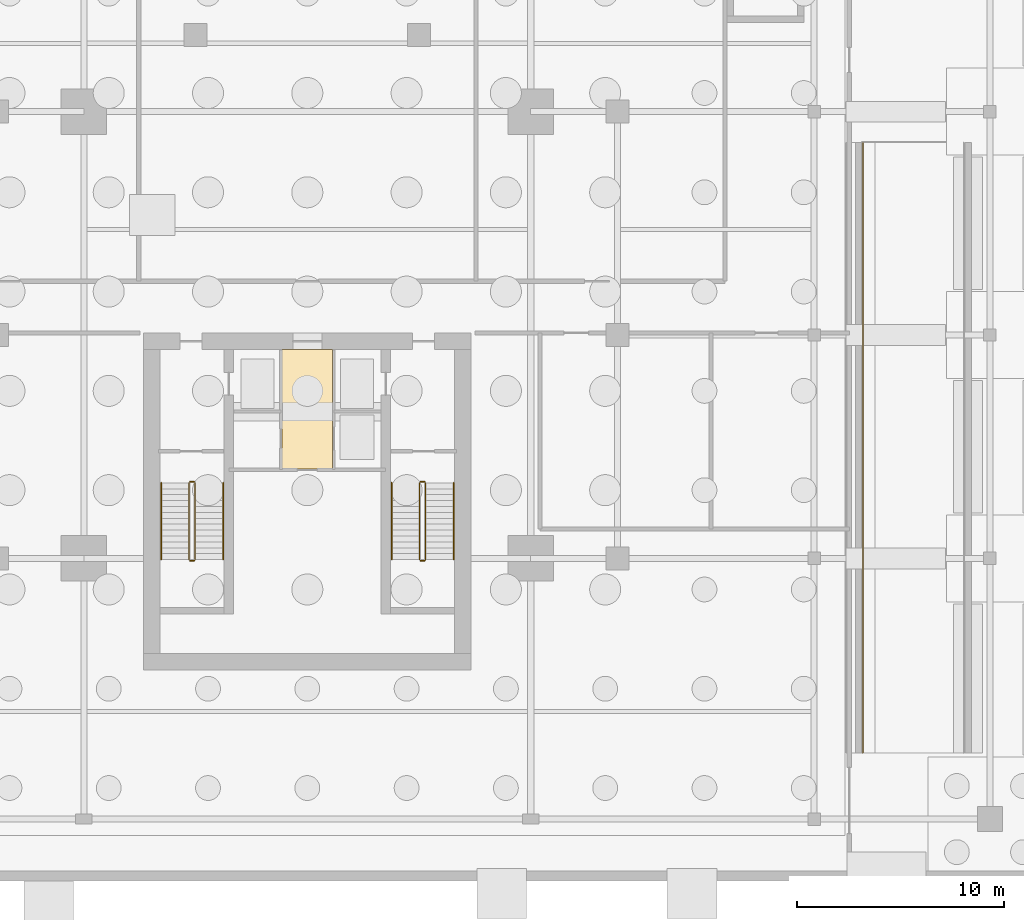
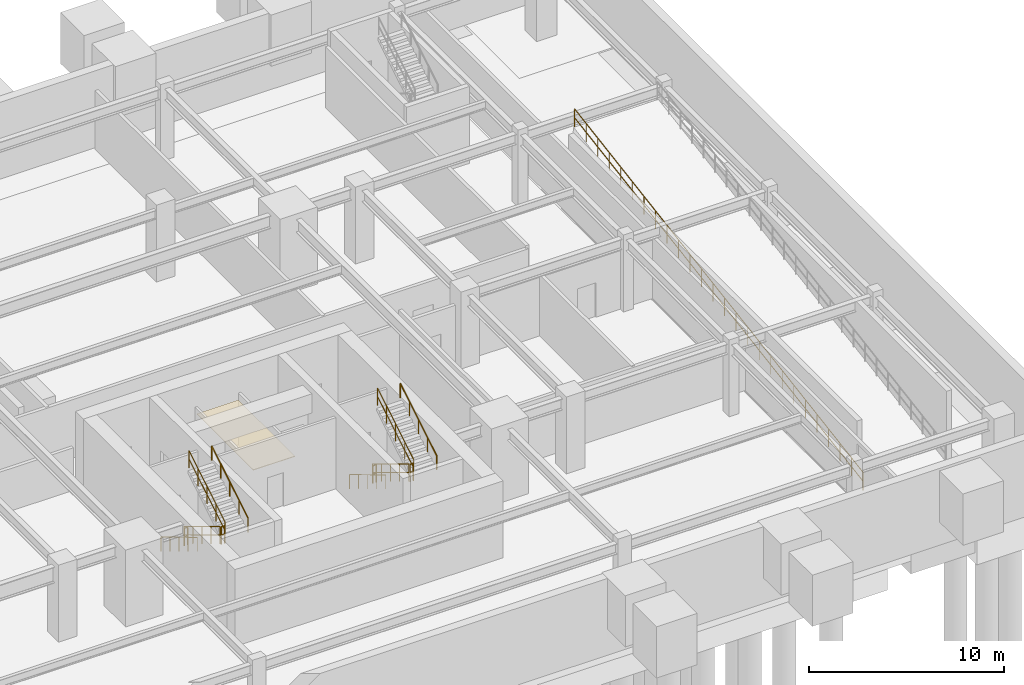
# One storey, part 6 of 9: 13 railings, 1 covering.
"""IFC4 building model written with IfcOpenShell, lengths in metres."""

from ifc_helpers import new_model, si_unit, direction, frame, origin, origin_2d, place, context, subcontext, project, spatial, polyline, circle, outline, extrude, material, layer, layer_set, type_object, element, save


model = new_model("IFC4")

# Units and contexts
model_context = context("Model", 3, precision=1e-05, world=origin(), true_north=direction((0.0, 1.0)))
body_context = subcontext(model_context, "Body", "Model", "MODEL_VIEW")
ifc_project = project(units=[si_unit("LENGTHUNIT", "METRE"), si_unit("AREAUNIT", "SQUARE_METRE"), si_unit("VOLUMEUNIT", "CUBIC_METRE"), si_unit("PLANEANGLEUNIT", "RADIAN"), si_unit("MASSUNIT", "GRAM", prefix="KILO")], contexts=[model_context])

# Site, building, storey
site_placement = place(None, origin())
site = spatial("IfcSite", under=ifc_project, at=site_placement, CompositionType="ELEMENT")
building_placement = place(site_placement, origin())
building = spatial("IfcBuilding", under=site, at=building_placement, Name="Krantzveldt Concourse Tower", CompositionType="ELEMENT")
storey_placement = place(building_placement, frame((0.0, 0.0, -4.800048828125)))
storey = spatial("IfcBuildingStorey", under=building, at=storey_placement, Name="B1", CompositionType="ELEMENT", Elevation=-4.800048828125)

# Covering
ifc_material_1 = material(Name="Perforated acoustic mineral-fibre ceiling tile", Category="ceiling")
ifc_layer_1 = layer(ifc_material_1, 0.0400390625, Name="Perforated acoustic mineral-fibre ceiling tile", Category="ceiling")
ifc_layer_set_1 = layer_set([ifc_layer_1], Name="Perforated acoustic mineral-fibre ceiling tile (COV-CEIL-ACOUSTIC)")
covering_type = type_object("IfcCoveringType", Name="COV-CEIL-ACOUSTIC", PredefinedType="CEILING", material=ifc_layer_set_1)
covering_placement = place(storey_placement, frame((0.0, 0.0, 2.75)))
element("IfcCovering", 1, at=covering_placement, inside=storey, type_object=covering_type, Name="CLG-B1-LLB", PredefinedType="CEILING", context=body_context, shape_type="SweptSolid", body=[
    extrude(outline(polyline([(34.77490234375, 26.0048828125), (37.22509765625, 26.0048828125), (37.22509765625, 20.22509765625), (34.77490234375, 20.22509765625), (34.77490234375, 26.0048828125)])), origin(), (0.0, 0.0, 1.0), 0.0400390625),
])

# Railings
ifc_material_2 = material(Name="Stainless steel 316L", Category="steel")
ifc_layer_2 = layer(ifc_material_2, 0.06005859375, Name="Stainless steel 316L", Category="steel")
ifc_layer_set_2 = layer_set([ifc_layer_2], Name="Stainless steel 316L (RL-GUARD-1120)")
railing_type_1 = type_object("IfcRailingType", Name="RL-GUARD-1120", PredefinedType="GUARDRAIL", material=ifc_layer_set_2)
railing_1_placement = place(storey_placement, frame((30.280029296875, 19.550048828125, 0.17138671875)))
element("IfcRailing", 2, at=railing_1_placement, inside=storey, type_object=railing_type_1, Name="B1 ST-1 stair guard 1", PredefinedType="GUARDRAIL", context=body_context, shape_type="SweptSolid", body=[
    extrude(circle(Radius=0.02392578125, at=origin_2d()), frame((0.0, 0.0, 1.076171875), z_axis=(0.0, -0.856909459561, 0.515466951525), x_axis=(1.0, 0.0, 0.0)), (0.0, 0.0, 1.0), 4.32373046875),
    extrude(circle(Radius=0.02392578125, at=origin_2d()), frame((0.0, 0.0, 0.550048828125), z_axis=(0.0, -0.856909459561, 0.515466951525), x_axis=(1.0, 0.0, 0.0)), (0.0, 0.0, 1.0), 4.32373046875),
    extrude(circle(Radius=0.02099609375, at=origin_2d()), origin(), (0.0, 0.0, 1.0), 1.052001953125),
    extrude(circle(Radius=0.02099609375, at=origin_2d()), frame((0.0, -0.92626953125, 0.55712890625)), (0.0, 0.0, 1.0), 1.052001953125),
    extrude(circle(Radius=0.02099609375, at=origin_2d()), frame((0.0, -1.8525390625, 1.1142578125)), (0.0, 0.0, 1.0), 1.052001953125),
    extrude(circle(Radius=0.02099609375, at=origin_2d()), frame((0.0, -2.77880859375, 1.671630859375)), (0.0, 0.0, 1.0), 1.052001953125),
    extrude(circle(Radius=0.02099609375, at=origin_2d()), frame((0.0, -3.705078125, 2.228759765625)), (0.0, 0.0, 1.0), 1.052001953125),
])
railing_2_placement = place(storey_placement, frame((30.330078125, 15.794921875, 2.400146484375)))
element("IfcRailing", 3, at=railing_2_placement, inside=storey, type_object=railing_type_1, Name="B1 ST-1 stair guard 2", PredefinedType="GUARDRAIL", context=body_context, shape_type="SweptSolid", body=[
    extrude(circle(Radius=0.02392578125, at=origin_2d()), frame((0.0, 0.0, 1.076171875), z_axis=(1.0, 0.0, 0.0), x_axis=(0.0, 1.0, 0.0)), (0.0, 0.0, 1.0), 0.199951171875),
    extrude(circle(Radius=0.02392578125, at=origin_2d()), frame((0.0, 0.0, 0.550048828125), z_axis=(1.0, 0.0, 0.0), x_axis=(0.0, 1.0, 0.0)), (0.0, 0.0, 1.0), 0.199951171875),
    extrude(circle(Radius=0.02099609375, at=origin_2d()), origin(), (0.0, 0.0, 1.0), 1.052001953125),
    extrude(circle(Radius=0.02099609375, at=origin_2d()), frame((0.199951171875, 0.0, 0.0)), (0.0, 0.0, 1.0), 1.052001953125),
])
railing_3_placement = place(storey_placement, frame((30.580078125, 15.844970703125, 2.571533203125)))
element("IfcRailing", 4, at=railing_3_placement, inside=storey, type_object=railing_type_1, Name="B1 ST-1 stair guard 3", PredefinedType="GUARDRAIL", context=body_context, shape_type="SweptSolid", body=[
    extrude(circle(Radius=0.02392578125, at=origin_2d()), frame((0.0, 0.0, 1.076171875), z_axis=(0.0, 0.856934400257, 0.515425487977), x_axis=(-1.0, 0.0, 0.0)), (0.0, 0.0, 1.0), 4.32373046875),
    extrude(circle(Radius=0.02392578125, at=origin_2d()), frame((0.0, 0.0, 0.550048828125), z_axis=(0.0, 0.856934400257, 0.515425487977), x_axis=(-1.0, 0.0, 0.0)), (0.0, 0.0, 1.0), 4.32373046875),
    extrude(circle(Radius=0.02099609375, at=origin_2d()), origin(), (0.0, 0.0, 1.0), 1.052001953125),
    extrude(circle(Radius=0.02099609375, at=origin_2d()), frame((0.0, 0.92626953125, 0.55712890625)), (0.0, 0.0, 1.0), 1.052001953125),
    extrude(circle(Radius=0.02099609375, at=origin_2d()), frame((0.0, 1.8525390625, 1.1142578125)), (0.0, 0.0, 1.0), 1.052001953125),
    extrude(circle(Radius=0.02099609375, at=origin_2d()), frame((0.0, 2.77880859375, 1.67138671875)), (0.0, 0.0, 1.0), 1.052001953125),
    extrude(circle(Radius=0.02099609375, at=origin_2d()), frame((0.0, 3.705078125, 2.228515625)), (0.0, 0.0, 1.0), 1.052001953125),
])
railing_4_placement = place(storey_placement, frame((30.330078125, 19.60009765625, 0.0)))
element("IfcRailing", 5, at=railing_4_placement, inside=storey, type_object=railing_type_1, Name="B1 ST-1 stair guard 4", PredefinedType="GUARDRAIL", context=body_context, shape_type="SweptSolid", body=[
    extrude(circle(Radius=0.02392578125, at=origin_2d()), frame((0.0, 0.0, 1.076171875), z_axis=(1.0, 0.0, 0.0), x_axis=(0.0, 1.0, 0.0)), (0.0, 0.0, 1.0), 0.199951171875),
    extrude(circle(Radius=0.02392578125, at=origin_2d()), frame((0.0, 0.0, 0.550048828125), z_axis=(1.0, 0.0, 0.0), x_axis=(0.0, 1.0, 0.0)), (0.0, 0.0, 1.0), 0.199951171875),
    extrude(circle(Radius=0.02099609375, at=origin_2d()), origin(), (0.0, 0.0, 1.0), 1.052001953125),
    extrude(circle(Radius=0.02099609375, at=origin_2d()), frame((0.199951171875, 0.0, 0.0)), (0.0, 0.0, 1.0), 1.052001953125),
])
railing_5_placement = place(storey_placement, frame((41.419921875, 19.550048828125, 0.17138671875)))
element("IfcRailing", 6, at=railing_5_placement, inside=storey, type_object=railing_type_1, Name="B1 ST-2 stair guard 1", PredefinedType="GUARDRAIL", context=body_context, shape_type="SweptSolid", body=[
    extrude(circle(Radius=0.02392578125, at=origin_2d()), frame((0.0, 0.0, 1.076171875), z_axis=(0.0, -0.856909459561, 0.515466951525), x_axis=(1.0, 0.0, 0.0)), (0.0, 0.0, 1.0), 4.32373046875),
    extrude(circle(Radius=0.02392578125, at=origin_2d()), frame((0.0, 0.0, 0.550048828125), z_axis=(0.0, -0.856909459561, 0.515466951525), x_axis=(1.0, 0.0, 0.0)), (0.0, 0.0, 1.0), 4.32373046875),
    extrude(circle(Radius=0.02099609375, at=origin_2d()), origin(), (0.0, 0.0, 1.0), 1.052001953125),
    extrude(circle(Radius=0.02099609375, at=origin_2d()), frame((0.0, -0.92626953125, 0.55712890625)), (0.0, 0.0, 1.0), 1.052001953125),
    extrude(circle(Radius=0.02099609375, at=origin_2d()), frame((0.0, -1.8525390625, 1.1142578125)), (0.0, 0.0, 1.0), 1.052001953125),
    extrude(circle(Radius=0.02099609375, at=origin_2d()), frame((0.0, -2.77880859375, 1.671630859375)), (0.0, 0.0, 1.0), 1.052001953125),
    extrude(circle(Radius=0.02099609375, at=origin_2d()), frame((0.0, -3.705078125, 2.228759765625)), (0.0, 0.0, 1.0), 1.052001953125),
])
railing_6_placement = place(storey_placement, frame((41.469970703125, 15.794921875, 2.400146484375)))
element("IfcRailing", 7, at=railing_6_placement, inside=storey, type_object=railing_type_1, Name="B1 ST-2 stair guard 2", PredefinedType="GUARDRAIL", context=body_context, shape_type="SweptSolid", body=[
    extrude(circle(Radius=0.02392578125, at=origin_2d()), frame((0.0, 0.0, 1.076171875), z_axis=(1.0, 0.0, 0.0), x_axis=(0.0, 1.0, 0.0)), (0.0, 0.0, 1.0), 0.199951171875),
    extrude(circle(Radius=0.02392578125, at=origin_2d()), frame((0.0, 0.0, 0.550048828125), z_axis=(1.0, 0.0, 0.0), x_axis=(0.0, 1.0, 0.0)), (0.0, 0.0, 1.0), 0.199951171875),
    extrude(circle(Radius=0.02099609375, at=origin_2d()), origin(), (0.0, 0.0, 1.0), 1.052001953125),
    extrude(circle(Radius=0.02099609375, at=origin_2d()), frame((0.199951171875, 0.0, 0.0)), (0.0, 0.0, 1.0), 1.052001953125),
])
railing_7_placement = place(storey_placement, frame((41.719970703125, 15.844970703125, 2.571533203125)))
element("IfcRailing", 8, at=railing_7_placement, inside=storey, type_object=railing_type_1, Name="B1 ST-2 stair guard 3", PredefinedType="GUARDRAIL", context=body_context, shape_type="SweptSolid", body=[
    extrude(circle(Radius=0.02392578125, at=origin_2d()), frame((0.0, 0.0, 1.076171875), z_axis=(0.0, 0.856934400257, 0.515425487977), x_axis=(-1.0, 0.0, 0.0)), (0.0, 0.0, 1.0), 4.32373046875),
    extrude(circle(Radius=0.02392578125, at=origin_2d()), frame((0.0, 0.0, 0.550048828125), z_axis=(0.0, 0.856934400257, 0.515425487977), x_axis=(-1.0, 0.0, 0.0)), (0.0, 0.0, 1.0), 4.32373046875),
    extrude(circle(Radius=0.02099609375, at=origin_2d()), origin(), (0.0, 0.0, 1.0), 1.052001953125),
    extrude(circle(Radius=0.02099609375, at=origin_2d()), frame((0.0, 0.92626953125, 0.55712890625)), (0.0, 0.0, 1.0), 1.052001953125),
    extrude(circle(Radius=0.02099609375, at=origin_2d()), frame((0.0, 1.8525390625, 1.1142578125)), (0.0, 0.0, 1.0), 1.052001953125),
    extrude(circle(Radius=0.02099609375, at=origin_2d()), frame((0.0, 2.77880859375, 1.67138671875)), (0.0, 0.0, 1.0), 1.052001953125),
    extrude(circle(Radius=0.02099609375, at=origin_2d()), frame((0.0, 3.705078125, 2.228515625)), (0.0, 0.0, 1.0), 1.052001953125),
])
railing_8_placement = place(storey_placement, frame((41.469970703125, 19.60009765625, 0.0)))
element("IfcRailing", 9, at=railing_8_placement, inside=storey, type_object=railing_type_1, Name="B1 ST-2 stair guard 4", PredefinedType="GUARDRAIL", context=body_context, shape_type="SweptSolid", body=[
    extrude(circle(Radius=0.02392578125, at=origin_2d()), frame((0.0, 0.0, 1.076171875), z_axis=(1.0, 0.0, 0.0), x_axis=(0.0, 1.0, 0.0)), (0.0, 0.0, 1.0), 0.199951171875),
    extrude(circle(Radius=0.02392578125, at=origin_2d()), frame((0.0, 0.0, 0.550048828125), z_axis=(1.0, 0.0, 0.0), x_axis=(0.0, 1.0, 0.0)), (0.0, 0.0, 1.0), 0.199951171875),
    extrude(circle(Radius=0.02099609375, at=origin_2d()), origin(), (0.0, 0.0, 1.0), 1.052001953125),
    extrude(circle(Radius=0.02099609375, at=origin_2d()), frame((0.199951171875, 0.0, 0.0)), (0.0, 0.0, 1.0), 1.052001953125),
])
railing_9_placement = place(storey_placement, frame((62.860107421875, 6.5, 0.0)))
element("IfcRailing", 10, at=railing_9_placement, inside=storey, type_object=railing_type_1, Name="GD-B1-VRMP-W", PredefinedType="GUARDRAIL", context=body_context, shape_type="SweptSolid", body=[
    extrude(circle(Radius=0.02392578125, at=origin_2d()), frame((0.0, 0.0, 1.1259765625), z_axis=(0.0, 0.98701934778, 0.160601391988), x_axis=(-1.0, 0.0, 0.0)), (0.0, 0.0, 1.0), 29.887939453125),
    extrude(circle(Radius=0.02392578125, at=origin_2d()), frame((0.0, 0.0, 0.574951171875), z_axis=(0.0, 0.98701934778, 0.160601391988), x_axis=(-1.0, 0.0, 0.0)), (0.0, 0.0, 1.0), 29.887939453125),
    extrude(circle(Radius=0.02099609375, at=origin_2d()), origin(), (0.0, 0.0, 1.0), 1.101806640625),
    extrude(circle(Radius=0.02099609375, at=origin_2d()), frame((0.0, 1.179931640625, 0.19189453125)), (0.0, 0.0, 1.0), 1.101806640625),
    extrude(circle(Radius=0.02099609375, at=origin_2d()), frame((0.0, 2.360107421875, 0.384033203125)), (0.0, 0.0, 1.0), 1.101806640625),
    extrude(circle(Radius=0.02099609375, at=origin_2d()), frame((0.0, 3.5400390625, 0.575927734375)), (0.0, 0.0, 1.0), 1.101806640625),
    extrude(circle(Radius=0.02099609375, at=origin_2d()), frame((0.0, 4.719970703125, 0.76806640625)), (0.0, 0.0, 1.0), 1.101806640625),
    extrude(circle(Radius=0.02099609375, at=origin_2d()), frame((0.0, 5.89990234375, 0.9599609375)), (0.0, 0.0, 1.0), 1.101806640625),
    extrude(circle(Radius=0.02099609375, at=origin_2d()), frame((0.0, 7.080078125, 1.152099609375)), (0.0, 0.0, 1.0), 1.101806640625),
    extrude(circle(Radius=0.02099609375, at=origin_2d()), frame((0.0, 8.260009765625, 1.343994140625)), (0.0, 0.0, 1.0), 1.101806640625),
    extrude(circle(Radius=0.02099609375, at=origin_2d()), frame((0.0, 9.43994140625, 1.5361328125)), (0.0, 0.0, 1.0), 1.101806640625),
    extrude(circle(Radius=0.02099609375, at=origin_2d()), frame((0.0, 10.6201171875, 1.72802734375)), (0.0, 0.0, 1.0), 1.101806640625),
    extrude(circle(Radius=0.02099609375, at=origin_2d()), frame((0.0, 11.800048828125, 1.919921875)), (0.0, 0.0, 1.0), 1.101806640625),
    extrude(circle(Radius=0.02099609375, at=origin_2d()), frame((0.0, 12.97998046875, 2.112060546875)), (0.0, 0.0, 1.0), 1.101806640625),
    extrude(circle(Radius=0.02099609375, at=origin_2d()), frame((0.0, 14.159912109375, 2.303955078125)), (0.0, 0.0, 1.0), 1.101806640625),
    extrude(circle(Radius=0.02099609375, at=origin_2d()), frame((0.0, 15.340087890625, 2.49609375)), (0.0, 0.0, 1.0), 1.101806640625),
    extrude(circle(Radius=0.02099609375, at=origin_2d()), frame((0.0, 16.52001953125, 2.68798828125)), (0.0, 0.0, 1.0), 1.101806640625),
    extrude(circle(Radius=0.02099609375, at=origin_2d()), frame((0.0, 17.699951171875, 2.880126953125)), (0.0, 0.0, 1.0), 1.101806640625),
    extrude(circle(Radius=0.02099609375, at=origin_2d()), frame((0.0, 18.8798828125, 3.072021484375)), (0.0, 0.0, 1.0), 1.101806640625),
    extrude(circle(Radius=0.02099609375, at=origin_2d()), frame((0.0, 20.06005859375, 3.263916015625)), (0.0, 0.0, 1.0), 1.101806640625),
    extrude(circle(Radius=0.02099609375, at=origin_2d()), frame((0.0, 21.239990234375, 3.4560546875)), (0.0, 0.0, 1.0), 1.101806640625),
    extrude(circle(Radius=0.02099609375, at=origin_2d()), frame((0.0, 22.419921875, 3.64794921875)), (0.0, 0.0, 1.0), 1.101806640625),
    extrude(circle(Radius=0.02099609375, at=origin_2d()), frame((0.0, 23.60009765625, 3.840087890625)), (0.0, 0.0, 1.0), 1.101806640625),
    extrude(circle(Radius=0.02099609375, at=origin_2d()), frame((0.0, 24.780029296875, 4.031982421875)), (0.0, 0.0, 1.0), 1.101806640625),
    extrude(circle(Radius=0.02099609375, at=origin_2d()), frame((0.0, 25.9599609375, 4.22412109375)), (0.0, 0.0, 1.0), 1.101806640625),
    extrude(circle(Radius=0.02099609375, at=origin_2d()), frame((0.0, 27.139892578125, 4.416015625)), (0.0, 0.0, 1.0), 1.101806640625),
    extrude(circle(Radius=0.02099609375, at=origin_2d()), frame((0.0, 28.320068359375, 4.608154296875)), (0.0, 0.0, 1.0), 1.101806640625),
    extrude(circle(Radius=0.02099609375, at=origin_2d()), frame((0.0, 29.5, 4.800048828125)), (0.0, 0.0, 1.0), 1.101806640625),
])
ifc_layer_3 = layer(ifc_material_2, 0.050048828125, Name="Stainless steel 316L", Category="steel")
ifc_layer_set_3 = layer_set([ifc_layer_3], Name="Stainless steel 316L (RL-HANDRAIL-920)")
railing_type_2 = type_object("IfcRailingType", Name="RL-HANDRAIL-920", PredefinedType="HANDRAIL", material=ifc_layer_set_3)
railing_10_placement = place(storey_placement, frame((28.929931640625, 19.550048828125, 0.17138671875)))
element("IfcRailing", 11, at=railing_10_placement, inside=storey, type_object=railing_type_2, Name="B1 ST-1 stair handrail 1", PredefinedType="HANDRAIL", context=body_context, shape_type="SweptSolid", body=[
    extrude(circle(Radius=0.02392578125, at=origin_2d()), frame((0.0, 0.0, 0.8759765625), z_axis=(0.0, -0.856909459561, 0.515466951525), x_axis=(1.0, 0.0, 0.0)), (0.0, 0.0, 1.0), 4.32373046875),
    extrude(circle(Radius=0.02099609375, at=origin_2d()), origin(), (0.0, 0.0, 1.0), 0.851806640625),
    extrude(circle(Radius=0.02099609375, at=origin_2d()), frame((0.0, -0.92626953125, 0.55712890625)), (0.0, 0.0, 1.0), 0.851806640625),
    extrude(circle(Radius=0.02099609375, at=origin_2d()), frame((0.0, -1.8525390625, 1.1142578125)), (0.0, 0.0, 1.0), 0.851806640625),
    extrude(circle(Radius=0.02099609375, at=origin_2d()), frame((0.0, -2.77880859375, 1.671630859375)), (0.0, 0.0, 1.0), 0.851806640625),
    extrude(circle(Radius=0.02099609375, at=origin_2d()), frame((0.0, -3.705078125, 2.228759765625)), (0.0, 0.0, 1.0), 0.851806640625),
])
railing_11_placement = place(storey_placement, frame((31.929931640625, 15.844970703125, 2.571533203125)))
element("IfcRailing", 12, at=railing_11_placement, inside=storey, type_object=railing_type_2, Name="B1 ST-1 stair handrail 2", PredefinedType="HANDRAIL", context=body_context, shape_type="SweptSolid", body=[
    extrude(circle(Radius=0.02392578125, at=origin_2d()), frame((0.0, 0.0, 0.8759765625), z_axis=(0.0, 0.856934400257, 0.515425487977), x_axis=(-1.0, 0.0, 0.0)), (0.0, 0.0, 1.0), 4.32373046875),
    extrude(circle(Radius=0.02099609375, at=origin_2d()), origin(), (0.0, 0.0, 1.0), 0.851806640625),
    extrude(circle(Radius=0.02099609375, at=origin_2d()), frame((0.0, 0.92626953125, 0.55712890625)), (0.0, 0.0, 1.0), 0.851806640625),
    extrude(circle(Radius=0.02099609375, at=origin_2d()), frame((0.0, 1.8525390625, 1.1142578125)), (0.0, 0.0, 1.0), 0.851806640625),
    extrude(circle(Radius=0.02099609375, at=origin_2d()), frame((0.0, 2.77880859375, 1.67138671875)), (0.0, 0.0, 1.0), 0.851806640625),
    extrude(circle(Radius=0.02099609375, at=origin_2d()), frame((0.0, 3.705078125, 2.228515625)), (0.0, 0.0, 1.0), 0.851806640625),
])
railing_12_placement = place(storey_placement, frame((40.070068359375, 19.550048828125, 0.17138671875)))
element("IfcRailing", 13, at=railing_12_placement, inside=storey, type_object=railing_type_2, Name="B1 ST-2 stair handrail 1", PredefinedType="HANDRAIL", context=body_context, shape_type="SweptSolid", body=[
    extrude(circle(Radius=0.02392578125, at=origin_2d()), frame((0.0, 0.0, 0.8759765625), z_axis=(0.0, -0.856909459561, 0.515466951525), x_axis=(1.0, 0.0, 0.0)), (0.0, 0.0, 1.0), 4.32373046875),
    extrude(circle(Radius=0.02099609375, at=origin_2d()), origin(), (0.0, 0.0, 1.0), 0.851806640625),
    extrude(circle(Radius=0.02099609375, at=origin_2d()), frame((0.0, -0.92626953125, 0.55712890625)), (0.0, 0.0, 1.0), 0.851806640625),
    extrude(circle(Radius=0.02099609375, at=origin_2d()), frame((0.0, -1.8525390625, 1.1142578125)), (0.0, 0.0, 1.0), 0.851806640625),
    extrude(circle(Radius=0.02099609375, at=origin_2d()), frame((0.0, -2.77880859375, 1.671630859375)), (0.0, 0.0, 1.0), 0.851806640625),
    extrude(circle(Radius=0.02099609375, at=origin_2d()), frame((0.0, -3.705078125, 2.228759765625)), (0.0, 0.0, 1.0), 0.851806640625),
])
railing_13_placement = place(storey_placement, frame((43.070068359375, 15.844970703125, 2.571533203125)))
element("IfcRailing", 14, at=railing_13_placement, inside=storey, type_object=railing_type_2, Name="B1 ST-2 stair handrail 2", PredefinedType="HANDRAIL", context=body_context, shape_type="SweptSolid", body=[
    extrude(circle(Radius=0.02392578125, at=origin_2d()), frame((0.0, 0.0, 0.8759765625), z_axis=(0.0, 0.856934400257, 0.515425487977), x_axis=(-1.0, 0.0, 0.0)), (0.0, 0.0, 1.0), 4.32373046875),
    extrude(circle(Radius=0.02099609375, at=origin_2d()), origin(), (0.0, 0.0, 1.0), 0.851806640625),
    extrude(circle(Radius=0.02099609375, at=origin_2d()), frame((0.0, 0.92626953125, 0.55712890625)), (0.0, 0.0, 1.0), 0.851806640625),
    extrude(circle(Radius=0.02099609375, at=origin_2d()), frame((0.0, 1.8525390625, 1.1142578125)), (0.0, 0.0, 1.0), 0.851806640625),
    extrude(circle(Radius=0.02099609375, at=origin_2d()), frame((0.0, 2.77880859375, 1.67138671875)), (0.0, 0.0, 1.0), 0.851806640625),
    extrude(circle(Radius=0.02099609375, at=origin_2d()), frame((0.0, 3.705078125, 2.228515625)), (0.0, 0.0, 1.0), 0.851806640625),
])

save(model, "model.ifc")
